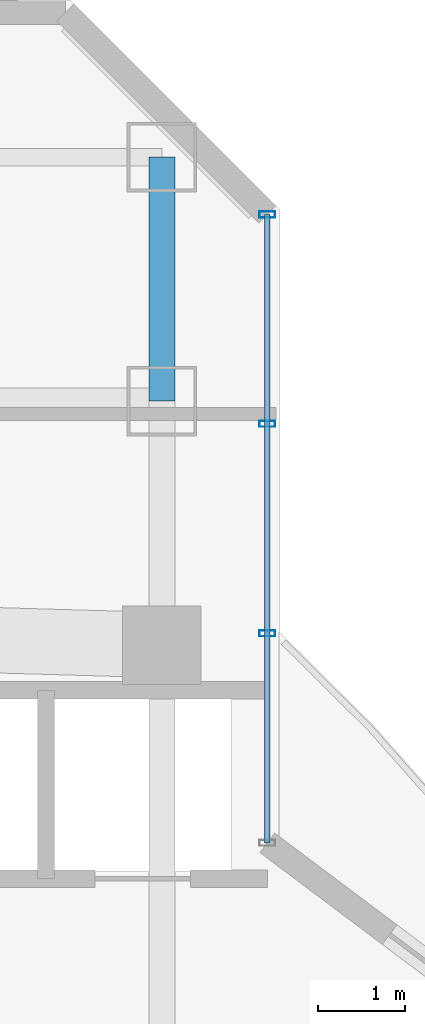
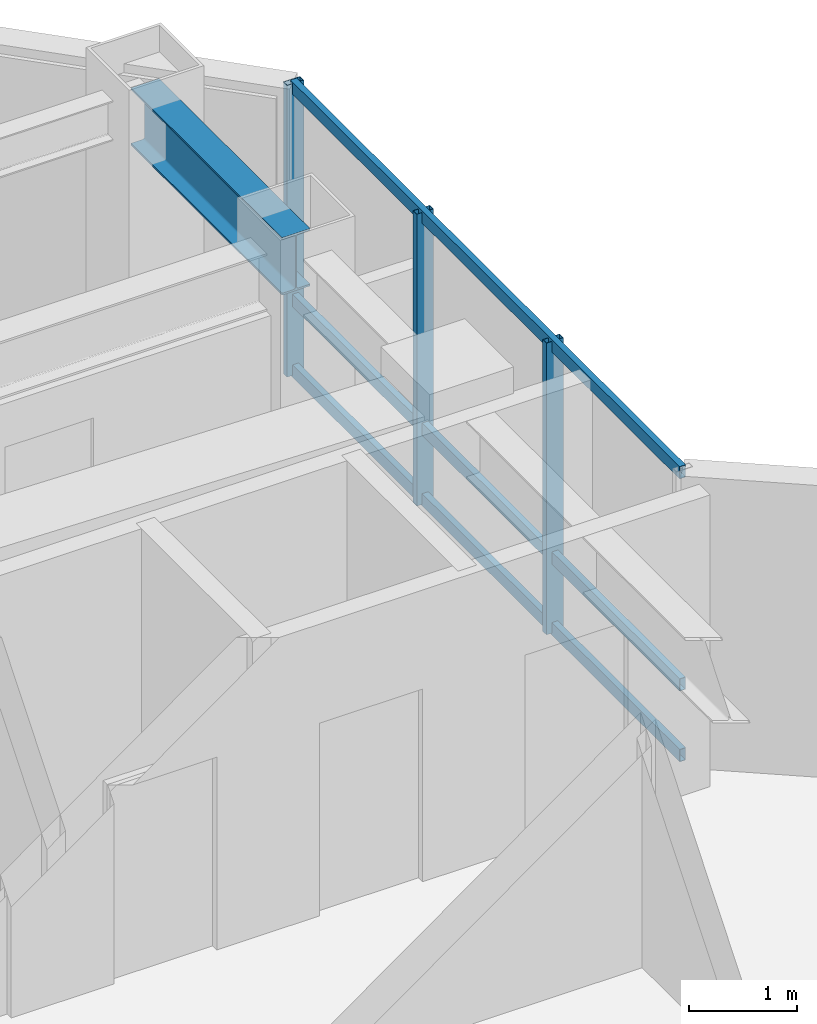
# One storey, part 22 of 29: 6 members, 1 beam, 1 element without a shape of its own.
"""IFC4 building model written with IfcOpenShell, lengths in metres."""

from ifc_helpers import new_model, si_unit, direction, frame, origin, origin_2d, place, context, subcontext, project, spatial, hollow_rectangle, i_section, extrude, material, layer, layer_set, material_profile, profile_set, type_object, element, aggregate, save


model = new_model("IFC4")

# Units and contexts
model_context = context("Model", 3, precision=1e-05, world=origin(), true_north=direction((0.0, 1.0)))
body_context = subcontext(model_context, "Body", "Model", "MODEL_VIEW")
ifc_project = project(units=[si_unit("LENGTHUNIT", "METRE"), si_unit("AREAUNIT", "SQUARE_METRE"), si_unit("VOLUMEUNIT", "CUBIC_METRE"), si_unit("PLANEANGLEUNIT", "RADIAN"), si_unit("MASSUNIT", "GRAM", prefix="KILO")], contexts=[model_context])

# Site, building, storey
site_placement = place(None, origin())
site = spatial("IfcSite", under=ifc_project, at=site_placement, CompositionType="ELEMENT")
building_placement = place(site_placement, origin())
building = spatial("IfcBuilding", under=site, at=building_placement, Name="Hatsunagi Terrace Concourse", CompositionType="ELEMENT")
storey_placement = place(building_placement, frame((0.0, 0.0, 178.050048828125)))
storey = spatial("IfcBuildingStorey", under=building, at=storey_placement, Name="L47", CompositionType="ELEMENT", Elevation=178.050048828125)

# Curtain wall, members
ifc_material_1 = material(Name="Anodised Aluminium Alloy 6063-T5", Category="aluminium")
ifc_layer = layer(ifc_material_1, 0.199951171875)
ifc_layer_set = layer_set([ifc_layer], Name="OfficeZone1_CW03")
curtain_wall_type = type_object("IfcCurtainWallType", Name="OfficeZone1_CW03", PredefinedType="NOTDEFINED", material=ifc_layer_set)
curtain_wall_placement = place(storey_placement, origin())
curtain_wall = element("IfcCurtainWall", 1, at=curtain_wall_placement, inside=storey, type_object=curtain_wall_type, Name="Unitised Curtain Wall CW-03 CW-L47-13", PredefinedType="NOTDEFINED")
ifc_material_2 = material(Name="Anodised Aluminium Alloy 6063-T5", Category="aluminium")
ifc_material_profile_1 = material_profile(ifc_material_2, hollow_rectangle(XDim=0.070068359375, YDim=0.179931640625, WallThickness=0.00390625, at=origin_2d()), Name="ALU-MUL-180x70x4")
ifc_profile_set_1 = profile_set([ifc_material_profile_1], Name="Anodised Aluminium Alloy 6063-T5")
member_type_1 = type_object("IfcMemberType", Name="CurtainWallMullion_180x70", PredefinedType="MULLION", material=ifc_profile_set_1)
member_1_placement = place(storey_placement, frame((44.860107421875, 47.94189453125, 0.0), z_axis=(0.0, 0.0, 1.0), x_axis=(0.0, -1.0, 0.0)))
member_1 = element("IfcMember", 2, at=member_1_placement, type_object=member_type_1, Name="Curtain Wall Mullion MUL-02", PredefinedType="MULLION", context=body_context, shape_type="SweptSolid", body=[
    extrude(hollow_rectangle(XDim=0.070068359375, YDim=0.179931640625, WallThickness=0.00390625, at=origin_2d()), origin(), (0.0, 0.0, 1.0), 3.300048828125),
])
member_2_placement = place(storey_placement, frame((44.860107421875, 45.5380859375, 0.0), z_axis=(0.0, 0.0, 1.0), x_axis=(0.0, -1.0, 0.0)))
member_2 = element("IfcMember", 3, at=member_2_placement, type_object=member_type_1, Name="Curtain Wall Mullion MUL-02", PredefinedType="MULLION", context=body_context, shape_type="SweptSolid", body=[
    extrude(hollow_rectangle(XDim=0.070068359375, YDim=0.179931640625, WallThickness=0.00390625, at=origin_2d()), origin(), (0.0, 0.0, 1.0), 3.300048828125),
])
member_3_placement = place(storey_placement, frame((44.860107421875, 43.134033203125, 0.0), z_axis=(0.0, 0.0, 1.0), x_axis=(0.0, -1.0, 0.0)))
member_3 = element("IfcMember", 4, at=member_3_placement, type_object=member_type_1, Name="Curtain Wall Mullion MUL-02", PredefinedType="MULLION", context=body_context, shape_type="SweptSolid", body=[
    extrude(hollow_rectangle(XDim=0.070068359375, YDim=0.179931640625, WallThickness=0.00390625, at=origin_2d()), origin(), (0.0, 0.0, 1.0), 3.300048828125),
])
ifc_material_3 = material(Name="Anodised Aluminium Alloy 6063-T5", Category="aluminium")
ifc_material_profile_2 = material_profile(ifc_material_3, hollow_rectangle(XDim=0.06494140625, YDim=0.139892578125, WallThickness=0.00390625, at=origin_2d()), Name="ALU-TRN-140x65x4")
ifc_profile_set_2 = profile_set([ifc_material_profile_2], Name="Anodised Aluminium Alloy 6063-T5")
member_type_2 = type_object("IfcMemberType", Name="CurtainWallTransom_140x65", PredefinedType="USERDEFINED", material=ifc_profile_set_2)
member_4_placement = place(storey_placement, frame((44.860107421875, 47.94189453125, 0.050048828125), z_axis=(0.0, -1.0, 0.0), x_axis=(1.0, 0.0, 0.0)))
member_4 = element("IfcMember", 5, at=member_4_placement, type_object=member_type_2, Name="Curtain Wall Transom TRN-02", ObjectType="TRANSOM", PredefinedType="USERDEFINED", context=body_context, shape_type="SweptSolid", body=[
    extrude(hollow_rectangle(XDim=0.06494140625, YDim=0.139892578125, WallThickness=0.00390625, at=origin_2d()), origin(), (0.0, 0.0, 1.0), 7.2119140625),
])
member_5_placement = place(storey_placement, frame((44.860107421875, 47.94189453125, 0.849853515625), z_axis=(0.0, -1.0, 0.0), x_axis=(1.0, 0.0, 0.0)))
member_5 = element("IfcMember", 6, at=member_5_placement, type_object=member_type_2, Name="Curtain Wall Transom TRN-02", ObjectType="TRANSOM", PredefinedType="USERDEFINED", context=body_context, shape_type="SweptSolid", body=[
    extrude(hollow_rectangle(XDim=0.06494140625, YDim=0.139892578125, WallThickness=0.00390625, at=origin_2d()), origin(), (0.0, 0.0, 1.0), 7.2119140625),
])
member_6_placement = place(storey_placement, frame((44.860107421875, 47.94189453125, 3.25), z_axis=(0.0, -1.0, 0.0), x_axis=(1.0, 0.0, 0.0)))
member_6 = element("IfcMember", 7, at=member_6_placement, type_object=member_type_2, Name="Curtain Wall Transom TRN-02", ObjectType="TRANSOM", PredefinedType="USERDEFINED", context=body_context, shape_type="SweptSolid", body=[
    extrude(hollow_rectangle(XDim=0.06494140625, YDim=0.139892578125, WallThickness=0.00390625, at=origin_2d()), origin(), (0.0, 0.0, 1.0), 7.2119140625),
])
aggregate(curtain_wall, [member_1, member_2, member_3, member_4, member_5, member_6])

# Beam
ifc_material_4 = material(Name="Steel SN490B", Category="steel")
ifc_material_profile_3 = material_profile(ifc_material_4, i_section(OverallWidth=0.300048828125, OverallDepth=0.64990234375, WebThickness=0.012939453125, FlangeThickness=0.02197265625, FilletRadius=0.01806640625, at=origin_2d()), Name="H-650x300x13x22")
ifc_profile_set_3 = profile_set([ifc_material_profile_3], Name="Steel SN490B")
beam_type = type_object("IfcBeamType", Name="OfficeLowGirder_H_650x300", PredefinedType="BEAM", material=ifc_profile_set_3)
beam_placement = place(storey_placement, frame((43.64990234375, 45.800048828125, 2.974853515625), z_axis=(0.0, 1.0, 0.0), x_axis=(-1.0, 0.0, 0.0)))
element("IfcBeam", 8, at=beam_placement, inside=storey, type_object=beam_type, Name="Beam G-05 BM-L47-KN-WN6", PredefinedType="BEAM", context=body_context, shape_type="SweptSolid", body=[
    extrude(i_section(OverallWidth=0.300048828125, OverallDepth=0.64990234375, WebThickness=0.012939453125, FlangeThickness=0.02197265625, FilletRadius=0.01806640625, at=origin_2d()), origin(), (0.0, 0.0, 1.0), 2.800048828125),
])

save(model, "model.ifc")
